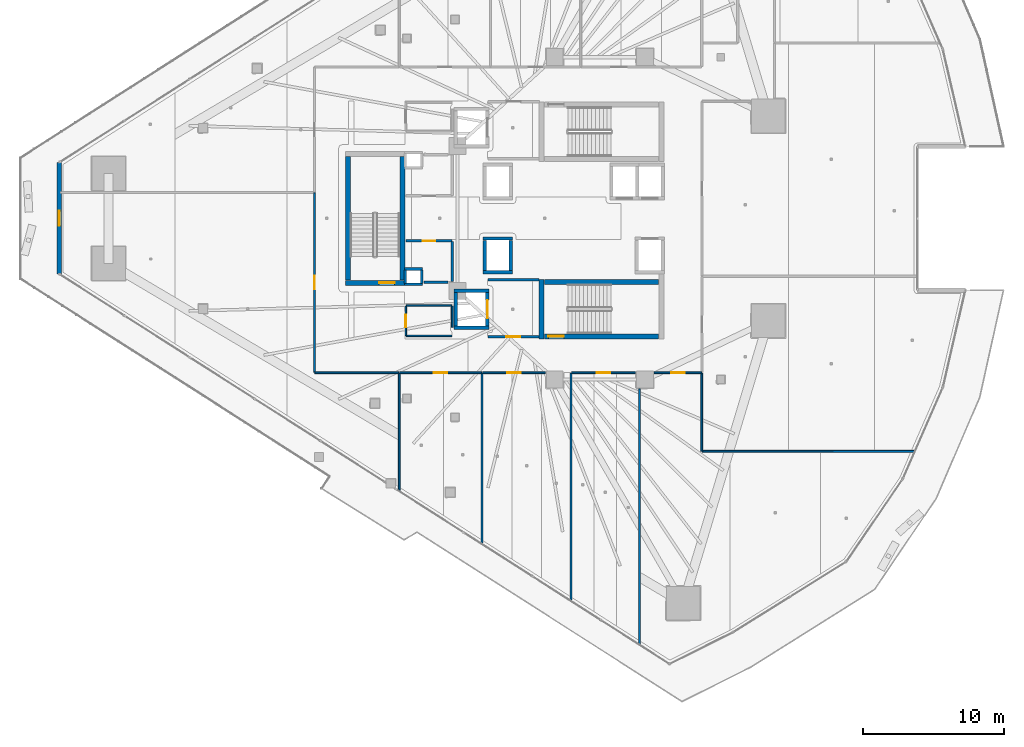
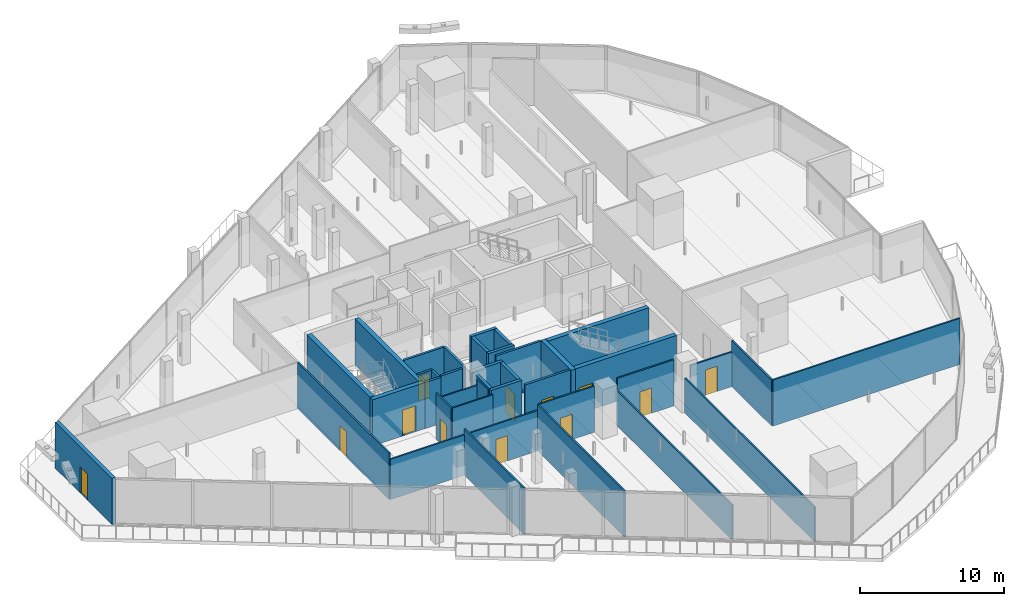
# One storey, part 29 of 45: 40 walls, 12 doors, 12 openings.
"""IFC4 building model written with IfcOpenShell, lengths in metres."""

import ifcopenshell
import ifcopenshell.guid

model = None  # the IFC model being written
_history = None  # IfcOwnerHistory: only IFC2X3 demands one
_inside = {}  # id of a spatial element -> (the spatial element, [elements in it])
_under = {}  # id of a project, library or spatial element -> (it, [spatial elements below it])
_declared = {}  # id of a project -> (the project, [libraries it declares])
_typed = {}  # id of a type object -> (the type object, [elements of that type])
_made_of = {}  # id of a material, layer set ... -> (it, [elements and type objects made of it])


def new_model(schema):
    """Start an empty IFC model of exactly this schema.

    Asked for "IFC4X3", IfcOpenShell would pick the latest addendum, in which some entities
    have other attributes; the version numbers below select the first issue.
    IFC2X3 requires an IfcOwnerHistory on every rooted entity: one is made here for all.
    """
    global model, _history
    if schema == "IFC4X3":
        model = ifcopenshell.file(schema_version=(4, 3, 0, 0))
    else:
        model = ifcopenshell.file(schema=schema)
    _inside.clear()
    _under.clear()
    _declared.clear()
    _typed.clear()
    _made_of.clear()
    _history = None
    if model.schema == "IFC2X3":
        org = make("IfcOrganization", Name="unknown")
        user = make(
            "IfcPersonAndOrganization",
            ThePerson=make("IfcPerson", FamilyName="unknown"),
            TheOrganization=org,
        )
        app = make(
            "IfcApplication",
            ApplicationDeveloper=org,
            Version="unknown",
            ApplicationFullName="unknown",
            ApplicationIdentifier="unknown",
        )
        _history = make(
            "IfcOwnerHistory",
            OwningUser=user,
            OwningApplication=app,
            ChangeAction="ADDED",
            CreationDate=0,
        )
    return model


def make(cls, **values):
    """One entity of the class cls with the attributes given. An attribute that is None is left unset."""
    return model.create_entity(
        cls, **{name: value for name, value in values.items() if value is not None}
    )


def rooted(cls, **values):
    """An entity with a GlobalId (a new one), such as an element, a storey or a relation."""
    return make(cls, GlobalId=ifcopenshell.guid.new(), OwnerHistory=_history, **values)


def si_unit(unit_type, name, prefix=None):
    """IfcSIUnit, for example si_unit("LENGTHUNIT", "METRE", prefix="MILLI")."""
    return make("IfcSIUnit", UnitType=unit_type, Prefix=prefix, Name=name)


def assignment(units):
    """IfcUnitAssignment: the units of a project."""
    return None if units is None else make("IfcUnitAssignment", Units=units)


def point(xyz):
    """IfcCartesianPoint."""
    return None if xyz is None else make("IfcCartesianPoint", Coordinates=xyz)


def direction(xyz):
    """IfcDirection."""
    return None if xyz is None else make("IfcDirection", DirectionRatios=xyz)


def frame(location, z_axis=None, x_axis=None):
    """IfcAxis2Placement3D, a coordinate frame: its origin and axes. An axis left out is left unset."""
    return make(
        "IfcAxis2Placement3D",
        Location=point(location),
        Axis=direction(z_axis),
        RefDirection=direction(x_axis),
    )


def frame_2d(location, x_axis=None):
    """IfcAxis2Placement2D, a coordinate frame in the plane: its origin and x axis."""
    return make(
        "IfcAxis2Placement2D", Location=point(location), RefDirection=direction(x_axis)
    )


def origin():
    """The frame at (0, 0, 0) with its axes left unset."""
    return frame((0.0, 0.0, 0.0))


def place(relative_to, where):
    """IfcLocalPlacement: puts the frame where relative to a parent placement (None: the world)."""
    return make(
        "IfcLocalPlacement", PlacementRelTo=relative_to, RelativePlacement=where
    )


def context(
    kind, dimensions, precision=None, world=None, true_north=None, identifier=None
):
    """IfcGeometricRepresentationContext, for example the 3D "Model" context."""
    return make(
        "IfcGeometricRepresentationContext",
        ContextIdentifier=identifier,
        ContextType=kind,
        CoordinateSpaceDimension=dimensions,
        Precision=precision,
        WorldCoordinateSystem=world,
        TrueNorth=true_north,
    )


def subcontext(parent, identifier, kind, view, scale=None):
    """IfcGeometricRepresentationSubContext, for example "Body" below "Model"."""
    return make(
        "IfcGeometricRepresentationSubContext",
        ContextIdentifier=identifier,
        ContextType=kind,
        ParentContext=parent,
        TargetScale=scale,
        TargetView=view,
    )


def project(units=None, contexts=None):
    """IfcProject with its units and contexts."""
    return rooted(
        "IfcProject",
        Name="project",
        RepresentationContexts=contexts,
        UnitsInContext=assignment(units),
    )


def spatial(cls, under=None, at=None, **own):
    """A site, building, storey or space (cls), placed at a placement, below another one or the project."""
    s = rooted(cls, ObjectPlacement=at, **own)
    if under is not None:
        _under.setdefault(under.id(), (under, []))[1].append(s)
    return s


def profile(cls, at=None, kind="AREA", **sizes):
    """A parametric profile (cls). Its sizes go by their IFC names, for example OverallWidth=200.0."""
    return make(cls, ProfileType=kind, Position=at, **sizes)


def rectangle(**sizes):
    """IfcRectangleProfileDef."""
    return profile("IfcRectangleProfileDef", **sizes)


def extrude(swept, where, along, depth):
    """IfcExtrudedAreaSolid: the profile swept, set in the frame where, extruded along a direction by depth."""
    return make(
        "IfcExtrudedAreaSolid",
        SweptArea=swept,
        Position=where,
        ExtrudedDirection=direction(along),
        Depth=depth,
    )


def shape(context_of_items, identifier, shape_type, items):
    """IfcShapeRepresentation: the items that make up one representation, for example the "Body"."""
    return make(
        "IfcShapeRepresentation",
        ContextOfItems=context_of_items,
        RepresentationIdentifier=identifier,
        RepresentationType=shape_type,
        Items=items,
    )


def material(Name=None, Category=None):
    """IfcMaterial."""
    return make("IfcMaterial", Name=Name, Category=Category)


def layer(
    of_material, thickness, ventilated=None, Name=None, Category=None, Priority=None
):
    """IfcMaterialLayer: one layer of a wall or slab, of a material (None: an air gap)."""
    return make(
        "IfcMaterialLayer",
        Material=of_material,
        LayerThickness=thickness,
        IsVentilated=ventilated,
        Name=Name,
        Category=Category,
        Priority=Priority,
    )


def layer_set(layers, Name=None):
    """IfcMaterialLayerSet."""
    return make("IfcMaterialLayerSet", MaterialLayers=layers, LayerSetName=Name)


def made_of(thing, what):
    """Note that an element or type object is made of a material, layer set ...; save() writes the relation."""
    if what is not None:
        _made_of.setdefault(what.id(), (what, []))[1].append(thing)
    return thing


def type_object(cls, material=None, **own):
    """A type object (cls), such as IfcWallType, which elements share."""
    return made_of(rooted(cls, **own), material)


def element(
    cls,
    number,
    at=None,
    inside=None,
    cuts=None,
    type_object=None,
    material=None,
    context=None,
    identifier="Body",
    shape_type=None,
    held_by="IfcProductDefinitionShape",
    body=None,
    shapes=None,
    **own,
):
    """One element of the class cls, such as IfcWall. Its Tag is "e" and its number.

    at: its placement. inside: the storey or other place that contains it. cuts: it is an
    opening in that element (IfcRelVoidsElement). A single representation is given by context,
    identifier, shape_type and body (its items); several are given by shapes. held_by: the class
    of the entity that holds the representations. save() writes the other relations.
    """
    e = rooted(cls, Tag="e%d" % number, ObjectPlacement=at, **own)
    if body is not None:
        shapes = [shape(context, identifier, shape_type, body)]
    if shapes is not None:
        e.Representation = make(held_by, Representations=shapes)
    if inside is not None:
        _inside.setdefault(inside.id(), (inside, []))[1].append(e)
    if cuts is not None:
        rooted(
            "IfcRelVoidsElement", RelatingBuildingElement=cuts, RelatedOpeningElement=e
        )
    if type_object is not None:
        _typed.setdefault(type_object.id(), (type_object, []))[1].append(e)
    return made_of(e, material)


def fill(opening, filler):
    """IfcRelFillsElement: the door or window that sits in an opening."""
    return rooted(
        "IfcRelFillsElement",
        RelatingOpeningElement=opening,
        RelatedBuildingElement=filler,
    )


def aggregate(whole, parts):
    """IfcRelAggregates: a whole, such as a stair, and the parts it consists of."""
    return rooted("IfcRelAggregates", RelatingObject=whole, RelatedObjects=parts)


def save(model, path):
    """Write the relations noted so far, then the file.

    IfcRelAggregates (storeys below a building ...), IfcRelContainedInSpatialStructure (elements
    in a storey), IfcRelDefinesByType, IfcRelAssociatesMaterial and IfcRelDeclares: one each for
    every whole, place, type object, material and project.
    """
    for whole, parts in _under.values():
        aggregate(whole, parts)
    for where, things in _inside.values():
        rooted(
            "IfcRelContainedInSpatialStructure",
            RelatedElements=things,
            RelatingStructure=where,
        )
    for kind, things in _typed.values():
        rooted("IfcRelDefinesByType", RelatedObjects=things, RelatingType=kind)
    for what, things in _made_of.values():
        rooted("IfcRelAssociatesMaterial", RelatedObjects=things, RelatingMaterial=what)
    for by, libraries in _declared.values():
        rooted("IfcRelDeclares", RelatingContext=by, RelatedDefinitions=libraries)
    model.write(path)


model = new_model("IFC4")

# Units and contexts
model_context = context("Model", 3, precision=1e-05, world=origin(), true_north=direction((0.0, 1.0)))
body_context = subcontext(model_context, "Body", "Model", "MODEL_VIEW")
ifc_project = project(units=[si_unit("LENGTHUNIT", "METRE"), si_unit("AREAUNIT", "SQUARE_METRE"), si_unit("VOLUMEUNIT", "CUBIC_METRE"), si_unit("PLANEANGLEUNIT", "RADIAN"), si_unit("MASSUNIT", "GRAM", prefix="KILO")], contexts=[model_context])

# Site, building, storey
site_placement = place(None, origin())
site = spatial("IfcSite", under=ifc_project, at=site_placement, CompositionType="ELEMENT")
building_placement = place(site_placement, origin())
building = spatial("IfcBuilding", under=site, at=building_placement, Name="Qorvath Tower", CompositionType="ELEMENT")
storey_placement = place(building_placement, frame((0.0, 0.0, 91.199951171875)))
storey = spatial("IfcBuildingStorey", under=building, at=storey_placement, Name="L20", CompositionType="ELEMENT", Elevation=91.199951171875)

# Walls
ifc_material_1 = material(Name="Gypsum shaftliner on steel studs", Category="steel")
ifc_layer_1 = layer(ifc_material_1, 0.179931640625)
ifc_layer_set_1 = layer_set([ifc_layer_1], Name="FW-LOBBY")
wall_type_1 = type_object("IfcWallType", Name="FW-LOBBY", PredefinedType="PARTITIONING", material=ifc_layer_set_1)
for number, where, z_axis, x_axis, name in (
    (1, (-32.989990234375, -4.675048828125, 0.0), (0.0, 0.0, 1.0), (-1.0, 0.0, 0.0), "MEP Riser Shaft Enclosure Wall S-L20-S"),
    (2, (-34.260009765625, -3.594970703125, 0.0), (0.0, 0.0, 1.0), (1.0, 0.0, 0.0), "MEP Riser Shaft Enclosure Wall S-L20-N"),
):
    element("IfcWall", number, at=place(storey_placement, frame(where, z_axis=z_axis, x_axis=x_axis)), inside=storey, type_object=wall_type_1, Name=name, PredefinedType="PARTITIONING", context=body_context, shape_type="SweptSolid", body=[
        extrude(rectangle(XDim=1.27001953125, YDim=0.179931640625, at=frame_2d((0.635009765625, 0.0))), origin(), (0.0, 0.0, 1.0), 3.920166015625),
    ])
for number, where, z_axis, x_axis, name in (
    (3, (-34.205078125, -4.610107421875, 0.0), (0.0, 0.0, 1.0), (0.0, 1.0, 0.0), "MEP Riser Shaft Enclosure Wall S-L20-W"),
    (4, (-33.044921875, -3.659912109375, 0.0), (0.0, 0.0, 1.0), (0.0, -1.0, 0.0), "MEP Riser Shaft Enclosure Wall S-L20-E"),
):
    element("IfcWall", number, at=place(storey_placement, frame(where, z_axis=z_axis, x_axis=x_axis)), inside=storey, type_object=wall_type_1, Name=name, PredefinedType="PARTITIONING", context=body_context, shape_type="SweptSolid", body=[
        extrude(rectangle(XDim=0.9501953125, YDim=0.179931640625, at=frame_2d((0.47509765625, 0.0))), origin(), (0.0, 0.0, 1.0), 3.920166015625),
    ])

# Wall, opening, door
wall_1_placement = place(storey_placement, frame((-28.35498046875, -8.39990234375, 0.0), z_axis=(0.0, 0.0, 1.0), x_axis=(1.0, 0.0, 0.0)))
wall_1 = element("IfcWall", 5, at=wall_1_placement, inside=storey, type_object=wall_type_1, Name="Interior Partition IW-T1-L20-003", PredefinedType="PARTITIONING", context=body_context, shape_type="SweptSolid", body=[
    extrude(rectangle(XDim=3.6220703125, YDim=0.179931640625, at=frame_2d((1.81103515625, 0.0))), origin(), (0.0, 0.0, 1.0), 3.920166015625),
])
opening_1_placement = place(wall_1_placement, frame((1.31103515625, 0.0, 0.0)))
opening_1 = element("IfcOpeningElement", 6, at=opening_1_placement, cuts=wall_1, Name="Opening D-T1-L20-18", PredefinedType="OPENING", context=body_context, shape_type="SweptSolid", body=[
    extrude(rectangle(XDim=1.0, YDim=2.14990234375, at=frame_2d((0.5, 1.074951171875))), frame((0.0, 0.10009765625, 0.0), z_axis=(0.0, -1.0, 0.0), x_axis=(1.0, 0.0, 0.0)), (0.0, 0.0, 1.0), 0.199951171875),
])
ifc_material_2 = material(Name="Painted galvanised hollow metal", Category="steel")
door_type_1 = type_object("IfcDoorType", Name="FD-60", OperationType="NOTDEFINED", PredefinedType="DOOR", material=ifc_material_2)
door_1_placement = place(opening_1_placement, origin())
door_1 = element("IfcDoor", 7, at=door_1_placement, inside=storey, type_object=door_type_1, Name="Lobby Fire Service Elevator South Door D-T1-L20-18", OperationType="SINGLE_SWING_LEFT", OverallHeight=2.14990234375, OverallWidth=1.0, PredefinedType="DOOR", context=body_context, shape_type="SweptSolid", body=[
    extrude(rectangle(XDim=1.0, YDim=2.14990234375, at=frame_2d((0.5, 1.074951171875))), frame((0.0, 0.02490234375, 0.0), z_axis=(0.0, -1.0, 0.0), x_axis=(1.0, 0.0, 0.0)), (0.0, 0.0, 1.0), 0.050048828125),
])
fill(opening_1, door_1)

# Walls
wall_2_placement = place(storey_placement, frame((-24.73291015625, -4.35009765625, 0.0), z_axis=(0.0, 0.0, 1.0), x_axis=(-1.0, 0.0, 0.0)))
element("IfcWall", 8, at=wall_2_placement, inside=storey, type_object=wall_type_1, Name="Interior Partition IW-T1-L20-004", PredefinedType="PARTITIONING", context=body_context, shape_type="SweptSolid", body=[
    extrude(rectangle(XDim=3.6220703125, YDim=0.179931640625, at=frame_2d((1.81103515625, 0.0))), origin(), (0.0, 0.0, 1.0), 3.920166015625),
])
wall_3_placement = place(storey_placement, frame((-32.8798828125, -4.5380859375, 0.0), z_axis=(0.0, 0.0, 1.0), x_axis=(0.9999584918, 0.009111239105, 0.0)))
element("IfcWall", 9, at=wall_3_placement, inside=storey, type_object=wall_type_1, Name="Interior Partition IW-T1-L20-016", PredefinedType="PARTITIONING", context=body_context, shape_type="SweptSolid", body=[
    extrude(rectangle(XDim=1.71484375, YDim=0.179931640625, at=frame_2d((0.857421875, 0.0))), origin(), (0.0, 0.0, 1.0), 3.920166015625),
])
wall_4_placement = place(storey_placement, frame((-30.8798828125, -4.485107421875, 0.0), z_axis=(0.0, 0.0, 1.0), x_axis=(0.0, 1.0, 0.0)))
element("IfcWall", 10, at=wall_4_placement, inside=storey, type_object=wall_type_1, Name="Interior Partition IW-T1-L20-017", PredefinedType="PARTITIONING", context=body_context, shape_type="SweptSolid", body=[
    extrude(rectangle(XDim=2.860107421875, YDim=0.179931640625, at=frame_2d((1.43017578125, 0.0))), origin(), (0.0, 0.0, 1.0), 3.920166015625),
])

# Wall, opening, door
wall_5_placement = place(storey_placement, frame((-30.90478515625, -1.60009765625, 0.0), z_axis=(0.0, 0.0, 1.0), x_axis=(-1.0, 0.0, 0.0)))
wall_5 = element("IfcWall", 11, at=wall_5_placement, inside=storey, type_object=wall_type_1, Name="Interior Partition IW-T1-L20-018", PredefinedType="PARTITIONING", context=body_context, shape_type="SweptSolid", body=[
    extrude(rectangle(XDim=3.25, YDim=0.179931640625, at=frame_2d((1.625, 0.0))), origin(), (0.0, 0.0, 1.0), 3.920166015625),
])
opening_2_placement = place(wall_5_placement, frame((1.18505859375, 0.0, 0.0)))
opening_2 = element("IfcOpeningElement", 12, at=opening_2_placement, cuts=wall_5, Name="Opening D-T1-L20-04", PredefinedType="OPENING", context=body_context, shape_type="SweptSolid", body=[
    extrude(rectangle(XDim=0.8798828125, YDim=2.10009765625, at=frame_2d((0.43994140625, 1.050048828125))), frame((0.0, 0.10009765625, 0.0), z_axis=(0.0, -1.0, 0.0), x_axis=(1.0, 0.0, 0.0)), (0.0, 0.0, 1.0), 0.199951171875),
])
ifc_material_3 = material(Name="Painted galvanised hollow metal", Category="steel")
door_type_2 = type_object("IfcDoorType", Name="FD-60N", OperationType="NOTDEFINED", PredefinedType="DOOR", material=ifc_material_3)
door_2_placement = place(opening_2_placement, origin())
door_2 = element("IfcDoor", 13, at=door_2_placement, inside=storey, type_object=door_type_2, Name="Core housekeeping store L20 Door D-T1-L20-04", OperationType="SINGLE_SWING_LEFT", OverallHeight=2.10009765625, OverallWidth=0.8798828125, PredefinedType="DOOR", context=body_context, shape_type="SweptSolid", body=[
    extrude(rectangle(XDim=0.8798828125, YDim=2.10009765625, at=frame_2d((0.43994140625, 1.050048828125))), frame((0.0, 0.02490234375, 0.0), z_axis=(0.0, -1.0, 0.0), x_axis=(1.0, 0.0, 0.0)), (0.0, 0.0, 1.0), 0.050048828125),
])
fill(opening_2, door_2)

ifc_material_4 = material(Name="Gypsum board on metal studs with mineral wool", Category="gypsum")
ifc_layer_2 = layer(ifc_material_4, 0.125)
ifc_layer_set_2 = layer_set([ifc_layer_2], Name="IW-PART-125")
wall_type_2 = type_object("IfcWallType", Name="IW-PART-125", PredefinedType="PARTITIONING", material=ifc_layer_set_2)
wall_6_placement = place(storey_placement, frame((-28.784423828125, -10.9580078125, 0.0), z_axis=(0.0, 0.0, 1.0), x_axis=(-1.0, 0.0, 0.0)))
wall_6 = element("IfcWall", 14, at=wall_6_placement, inside=storey, type_object=wall_type_2, Name="Interior Partition IW-T1-L20-027", PredefinedType="PARTITIONING", context=body_context, shape_type="SweptSolid", body=[
    extrude(rectangle(XDim=5.840576171875, YDim=0.125, at=frame_2d((2.92041015625, 0.0))), origin(), (0.0, 0.0, 1.0), 3.43310546875),
])
opening_3_placement = place(wall_6_placement, frame((2.4453125, 0.0, 0.0)))
opening_3 = element("IfcOpeningElement", 15, at=opening_3_placement, cuts=wall_6, Name="Opening D-T1-L20-08", PredefinedType="OPENING", context=body_context, shape_type="SweptSolid", body=[
    extrude(rectangle(XDim=0.949951171875, YDim=2.14990234375, at=frame_2d((0.47509765625, 1.074951171875))), frame((0.0, 0.072509765625, 0.0), z_axis=(0.0, -1.0, 0.0), x_axis=(1.0, 0.0, 0.0)), (0.0, 0.0, 1.0), 0.14501953125),
])
ifc_material_5 = material(Name="Solid-core American white oak veneer", Category="wood")
door_type_3 = type_object("IfcDoorType", Name="D-01", OperationType="NOTDEFINED", PredefinedType="DOOR", material=ifc_material_5)
door_3_placement = place(opening_3_placement, origin())
door_3 = element("IfcDoor", 16, at=door_3_placement, inside=storey, type_object=door_type_3, Name="L20-04 Project Collaboration Workspace Door D-T1-L20-08", OperationType="SINGLE_SWING_LEFT", OverallHeight=2.14990234375, OverallWidth=0.949951171875, PredefinedType="DOOR", context=body_context, shape_type="SweptSolid", body=[
    extrude(rectangle(XDim=0.949951171875, YDim=2.14990234375, at=frame_2d((0.47509765625, 1.074951171875))), frame((0.0, 0.02490234375, 0.0), z_axis=(0.0, -1.0, 0.0), x_axis=(1.0, 0.0, 0.0)), (0.0, 0.0, 1.0), 0.050048828125),
])
fill(opening_3, door_3)

# Walls
wall_7_placement = place(storey_placement, frame((-34.64990234375, -10.98291015625, 0.0), z_axis=(0.0, 0.0, 1.0), x_axis=(0.0, -1.0, 0.0)))
element("IfcWall", 17, at=wall_7_placement, inside=storey, type_object=wall_type_2, Name="Interior Partition IW-T1-L20-028", PredefinedType="PARTITIONING", context=body_context, shape_type="SweptSolid", body=[
    extrude(rectangle(XDim=8.325439453125, YDim=0.125, at=frame_2d((4.16259765625, 0.0))), origin(), (0.0, 0.0, 1.0), 3.920166015625),
])
wall_8_placement = place(storey_placement, frame((-28.759521484375, -23.0732421875, 0.0), z_axis=(0.0, 0.0, 1.0), x_axis=(0.0, 1.0, 0.0)))
element("IfcWall", 18, at=wall_8_placement, inside=storey, type_object=wall_type_2, Name="Interior Partition IW-T1-L20-029", PredefinedType="PARTITIONING", context=body_context, shape_type="SweptSolid", body=[
    extrude(rectangle(XDim=12.09033203125, YDim=0.125, at=frame_2d((6.045166015625, 0.0))), origin(), (0.0, 0.0, 1.0), 3.920166015625),
])

# Wall, opening, door
wall_9_placement = place(storey_placement, frame((-24.264892578125, -10.9580078125, 0.0), z_axis=(0.0, 0.0, 1.0), x_axis=(-1.0, 0.0, 0.0)))
wall_9 = element("IfcWall", 19, at=wall_9_placement, inside=storey, type_object=wall_type_2, Name="Interior Partition IW-T1-L20-030", PredefinedType="PARTITIONING", context=body_context, shape_type="SweptSolid", body=[
    extrude(rectangle(XDim=4.4619140625, YDim=0.125, at=frame_2d((2.23095703125, 0.0))), origin(), (0.0, 0.0, 1.0), 3.920166015625),
])
opening_4_placement = place(wall_9_placement, frame((1.755859375, 0.0, 0.0)))
opening_4 = element("IfcOpeningElement", 20, at=opening_4_placement, cuts=wall_9, Name="Opening D-T1-L20-09", PredefinedType="OPENING", context=body_context, shape_type="SweptSolid", body=[
    extrude(rectangle(XDim=0.949951171875, YDim=2.14990234375, at=frame_2d((0.47509765625, 1.074951171875))), frame((0.0, 0.072509765625, 0.0), z_axis=(0.0, -1.0, 0.0), x_axis=(1.0, 0.0, 0.0)), (0.0, 0.0, 1.0), 0.14501953125),
])
door_4_placement = place(opening_4_placement, origin())
door_4 = element("IfcDoor", 21, at=door_4_placement, inside=storey, type_object=door_type_3, Name="L20-05 Staff Wellness Studio Door D-T1-L20-09", OperationType="SINGLE_SWING_RIGHT", OverallHeight=2.14990234375, OverallWidth=0.949951171875, PredefinedType="DOOR", context=body_context, shape_type="SweptSolid", body=[
    extrude(rectangle(XDim=0.949951171875, YDim=2.14990234375, at=frame_2d((0.47509765625, 1.074951171875))), frame((0.0, 0.02490234375, 0.0), z_axis=(0.0, -1.0, 0.0), x_axis=(1.0, 0.0, 0.0)), (0.0, 0.0, 1.0), 0.050048828125),
])
fill(opening_4, door_4)

# Wall
wall_10_placement = place(storey_placement, frame((-22.441162109375, -27.111328125, 0.0), z_axis=(0.0, 0.0, 1.0), x_axis=(0.0, 1.0, 0.0)))
element("IfcWall", 22, at=wall_10_placement, inside=storey, type_object=wall_type_2, Name="Interior Partition IW-T1-L20-031", PredefinedType="PARTITIONING", context=body_context, shape_type="SweptSolid", body=[
    extrude(rectangle(XDim=16.12841796875, YDim=0.125, at=frame_2d((8.064208984375, 0.0))), origin(), (0.0, 0.0, 1.0), 2.95703125),
])

# Wall, opening, door
wall_11_placement = place(storey_placement, frame((-17.864990234375, -10.9580078125, 0.0), z_axis=(0.0, 0.0, 1.0), x_axis=(-1.0, 0.0, 0.0)))
wall_11 = element("IfcWall", 23, at=wall_11_placement, inside=storey, type_object=wall_type_2, Name="Interior Partition IW-T1-L20-032", PredefinedType="PARTITIONING", context=body_context, shape_type="SweptSolid", body=[
    extrude(rectangle(XDim=4.543212890625, YDim=0.125, at=frame_2d((2.271484375, 0.0))), origin(), (0.0, 0.0, 1.0), 3.920166015625),
])
opening_5_placement = place(wall_11_placement, frame((1.796630859375, 0.0, 0.0)))
opening_5 = element("IfcOpeningElement", 24, at=opening_5_placement, cuts=wall_11, Name="Opening D-T1-L20-10", PredefinedType="OPENING", context=body_context, shape_type="SweptSolid", body=[
    extrude(rectangle(XDim=0.949951171875, YDim=2.14990234375, at=frame_2d((0.47509765625, 1.074951171875))), frame((0.0, 0.072509765625, 0.0), z_axis=(0.0, -1.0, 0.0), x_axis=(1.0, 0.0, 0.0)), (0.0, 0.0, 1.0), 0.14501953125),
])
door_5_placement = place(opening_5_placement, origin())
door_5 = element("IfcDoor", 25, at=door_5_placement, inside=storey, type_object=door_type_3, Name="L20-06 Design Pin-Up Atelier Door D-T1-L20-10", OperationType="SINGLE_SWING_LEFT", OverallHeight=2.14990234375, OverallWidth=0.949951171875, PredefinedType="DOOR", context=body_context, shape_type="SweptSolid", body=[
    extrude(rectangle(XDim=0.949951171875, YDim=2.14990234375, at=frame_2d((0.47509765625, 1.074951171875))), frame((0.0, 0.02490234375, 0.0), z_axis=(0.0, -1.0, 0.0), x_axis=(1.0, 0.0, 0.0)), (0.0, 0.0, 1.0), 0.050048828125),
])
fill(opening_5, door_5)

# Walls
wall_12_placement = place(storey_placement, frame((-17.58154296875, -30.21728515625, 0.0), z_axis=(0.0, 0.0, 1.0), x_axis=(0.0, 1.0, 0.0)))
element("IfcWall", 26, at=wall_12_placement, inside=storey, type_object=wall_type_2, Name="Interior Partition IW-T1-L20-033", PredefinedType="PARTITIONING", context=body_context, shape_type="SweptSolid", body=[
    extrude(rectangle(XDim=18.102294921875, YDim=0.125, at=frame_2d((9.05126953125, 0.0))), origin(), (0.0, 0.0, 1.0), 2.95703125),
])
wall_13_placement = place(storey_placement, frame((1.906005859375, -16.548583984375, 0.0), z_axis=(0.0, 0.0, 1.0), x_axis=(-0.999999993536, 0.000113697272, 0.0)))
element("IfcWall", 27, at=wall_13_placement, inside=storey, type_object=wall_type_2, Name="Interior Partition IW-T1-L20-034", PredefinedType="PARTITIONING", context=body_context, shape_type="SweptSolid", body=[
    extrude(rectangle(XDim=15.031005859375, YDim=0.125, at=frame_2d((7.515625, 0.0))), origin(), (0.0, 0.0, 1.0), 3.920166015625),
])
wall_14_placement = place(storey_placement, frame((-13.14990234375, -10.98291015625, 0.0), z_axis=(0.0, 0.0, 1.0), x_axis=(0.0, -1.0, 0.0)))
element("IfcWall", 28, at=wall_14_placement, inside=storey, type_object=wall_type_2, Name="Interior Partition IW-T1-L20-035", PredefinedType="PARTITIONING", context=body_context, shape_type="SweptSolid", body=[
    extrude(rectangle(XDim=5.5390625, YDim=0.125, at=frame_2d((2.76953125, 0.0))), origin(), (0.0, 0.0, 1.0), 3.920166015625),
])

# Wall, opening, door
wall_15_placement = place(storey_placement, frame((-13.1748046875, -10.9580078125, 0.0), z_axis=(0.0, 0.0, 1.0), x_axis=(-1.0, 0.0, 0.0)))
wall_15 = element("IfcWall", 29, at=wall_15_placement, inside=storey, type_object=wall_type_2, Name="Interior Partition IW-T1-L20-036", PredefinedType="PARTITIONING", context=body_context, shape_type="SweptSolid", body=[
    extrude(rectangle(XDim=3.360107421875, YDim=0.125, at=frame_2d((1.68017578125, 0.0))), origin(), (0.0, 0.0, 1.0), 2.95703125),
])
opening_6_placement = place(wall_15_placement, frame((1.205078125, 0.0, 0.0)))
opening_6 = element("IfcOpeningElement", 30, at=opening_6_placement, cuts=wall_15, Name="Opening D-T1-L20-11", PredefinedType="OPENING", context=body_context, shape_type="SweptSolid", body=[
    extrude(rectangle(XDim=0.949951171875, YDim=2.14990234375, at=frame_2d((0.47509765625, 1.074951171875))), frame((0.0, 0.072509765625, 0.0), z_axis=(0.0, -1.0, 0.0), x_axis=(1.0, 0.0, 0.0)), (0.0, 0.0, 1.0), 0.14501953125),
])
door_6_placement = place(opening_6_placement, origin())
door_6 = element("IfcDoor", 31, at=door_6_placement, inside=storey, type_object=door_type_3, Name="L20-07 Executive Partner Office Door D-T1-L20-11", OperationType="SINGLE_SWING_RIGHT", OverallHeight=2.14990234375, OverallWidth=0.949951171875, PredefinedType="DOOR", context=body_context, shape_type="SweptSolid", body=[
    extrude(rectangle(XDim=0.949951171875, YDim=2.14990234375, at=frame_2d((0.47509765625, 1.074951171875))), frame((0.0, 0.02490234375, 0.0), z_axis=(0.0, -1.0, 0.0), x_axis=(1.0, 0.0, 0.0)), (0.0, 0.0, 1.0), 0.050048828125),
])
fill(opening_6, door_6)

# Wall
wall_16_placement = place(storey_placement, frame((-40.633056640625, -10.9580078125, 0.0), z_axis=(0.0, 0.0, 1.0), x_axis=(1.0, 0.0, 0.0)))
element("IfcWall", 32, at=wall_16_placement, inside=storey, type_object=wall_type_2, Name="Interior Partition IW-T1-L20-047", PredefinedType="PARTITIONING", context=body_context, shape_type="SweptSolid", body=[
    extrude(rectangle(XDim=5.949951171875, YDim=0.125, at=frame_2d((2.97509765625, 0.0))), origin(), (0.0, 0.0, 1.0), 3.43310546875),
])

# Wall, opening, door
wall_17_placement = place(storey_placement, frame((-40.657958984375, -10.93310546875, 0.0), z_axis=(0.0, 0.0, 1.0), x_axis=(0.0, 1.0, 0.0)))
wall_17 = element("IfcWall", 33, at=wall_17_placement, inside=storey, type_object=wall_type_2, Name="Interior Partition IW-T1-L20-048", PredefinedType="PARTITIONING", context=body_context, shape_type="SweptSolid", body=[
    extrude(rectangle(XDim=12.73876953125, YDim=0.125, at=frame_2d((6.369384765625, 0.0))), origin(), (0.0, 0.0, 1.0), 3.920166015625),
])
opening_7_placement = place(wall_17_placement, frame((5.894287109375, 0.0, 0.0)))
opening_7 = element("IfcOpeningElement", 34, at=opening_7_placement, cuts=wall_17, Name="Opening D-T1-L20-15", PredefinedType="OPENING", context=body_context, shape_type="SweptSolid", body=[
    extrude(rectangle(XDim=0.949951171875, YDim=2.14990234375, at=frame_2d((0.47509765625, 1.074951171875))), frame((0.0, 0.072509765625, 0.0), z_axis=(0.0, -1.0, 0.0), x_axis=(1.0, 0.0, 0.0)), (0.0, 0.0, 1.0), 0.14501953125),
])
door_7_placement = place(opening_7_placement, origin())
door_7 = element("IfcDoor", 35, at=door_7_placement, inside=storey, type_object=door_type_3, Name="L20-11 Engineering Documentation Suite Door D-T1-L20-15", OperationType="SINGLE_SWING_RIGHT", OverallHeight=2.14990234375, OverallWidth=0.949951171875, PredefinedType="DOOR", context=body_context, shape_type="SweptSolid", body=[
    extrude(rectangle(XDim=0.949951171875, YDim=2.14990234375, at=frame_2d((0.47509765625, 1.074951171875))), frame((0.0, 0.02490234375, 0.0), z_axis=(0.0, -1.0, 0.0), x_axis=(1.0, 0.0, 0.0)), (0.0, 0.0, 1.0), 0.050048828125),
])
fill(opening_7, door_7)

ifc_material_6 = material(Name="Moisture-resistant cement board on metal studs", Category="gypsum")
ifc_layer_3 = layer(ifc_material_6, 0.110107421875)
ifc_layer_set_3 = layer_set([ifc_layer_3], Name="IW-WC-110")
wall_type_3 = type_object("IfcWallType", Name="IW-WC-110", PredefinedType="PARTITIONING", material=ifc_layer_set_3)
wall_18_placement = place(storey_placement, frame((-34.179931640625, -6.22509765625, 0.0), z_axis=(0.0, 0.0, 1.0), x_axis=(0.0, -1.0, 0.0)))
wall_18 = element("IfcWall", 36, at=wall_18_placement, inside=storey, type_object=wall_type_3, Name="Interior Partition IW-T1-L20-009", PredefinedType="PARTITIONING", context=body_context, shape_type="SweptSolid", body=[
    extrude(rectangle(XDim=2.10009765625, YDim=0.110107421875, at=frame_2d((1.050048828125, 0.0))), origin(), (0.0, 0.0, 1.0), 3.920166015625),
])
opening_8_placement = place(wall_18_placement, frame((0.610107421875, 0.0, 0.0)))
opening_8 = element("IfcOpeningElement", 37, at=opening_8_placement, cuts=wall_18, Name="Opening D-T1-L20-02", PredefinedType="OPENING", context=body_context, shape_type="SweptSolid", body=[
    extrude(rectangle(XDim=0.8798828125, YDim=2.10009765625, at=frame_2d((0.43994140625, 1.050048828125))), frame((0.0, 0.06494140625, 0.0), z_axis=(0.0, -1.0, 0.0), x_axis=(1.0, 0.0, 0.0)), (0.0, 0.0, 1.0), 0.130126953125),
])
ifc_material_7 = material(Name="Solid-core oak with acoustic drop seal", Category="wood")
door_type_4 = type_object("IfcDoorType", Name="D-02", OperationType="NOTDEFINED", PredefinedType="DOOR", material=ifc_material_7)
door_8_placement = place(opening_8_placement, origin())
door_8 = element("IfcDoor", 38, at=door_8_placement, inside=storey, type_object=door_type_4, Name="Accessible WC South L20 Door D-T1-L20-02", OperationType="SINGLE_SWING_LEFT", OverallHeight=2.10009765625, OverallWidth=0.8798828125, PredefinedType="DOOR", context=body_context, shape_type="SweptSolid", body=[
    extrude(rectangle(XDim=0.8798828125, YDim=2.10009765625, at=frame_2d((0.43994140625, 1.050048828125))), frame((0.0, 0.02490234375, 0.0), z_axis=(0.0, -1.0, 0.0), x_axis=(1.0, 0.0, 0.0)), (0.0, 0.0, 1.0), 0.050048828125),
])
fill(opening_8, door_8)

# Walls
wall_19_placement = place(storey_placement, frame((-34.15478515625, -8.35009765625, 0.0), z_axis=(0.0, 0.0, 1.0), x_axis=(1.0, 0.0, 0.0)))
element("IfcWall", 39, at=wall_19_placement, inside=storey, type_object=wall_type_3, Name="Interior Partition IW-T1-L20-010", PredefinedType="PARTITIONING", context=body_context, shape_type="SweptSolid", body=[
    extrude(rectangle(XDim=3.25, YDim=0.110107421875, at=frame_2d((1.625, 0.0))), origin(), (0.0, 0.0, 1.0), 3.920166015625),
])
wall_20_placement = place(storey_placement, frame((-30.8798828125, -7.742919921875, 0.0), z_axis=(0.0, 0.0, 1.0), x_axis=(0.0, 1.0, 0.0)))
element("IfcWall", 40, at=wall_20_placement, inside=storey, type_object=wall_type_3, Name="Interior Partition IW-T1-L20-011", PredefinedType="PARTITIONING", context=body_context, shape_type="SweptSolid", body=[
    extrude(rectangle(XDim=1.517822265625, YDim=0.110107421875, at=frame_2d((0.7587890625, 0.0))), origin(), (0.0, 0.0, 1.0), 3.920166015625),
])
wall_21_placement = place(storey_placement, frame((-30.90478515625, -6.199951171875, 0.0), z_axis=(0.0, 0.0, 1.0), x_axis=(-1.0, 0.0, 0.0)))
element("IfcWall", 41, at=wall_21_placement, inside=storey, type_object=wall_type_3, Name="Interior Partition IW-T1-L20-012", PredefinedType="PARTITIONING", context=body_context, shape_type="SweptSolid", body=[
    extrude(rectangle(XDim=3.25, YDim=0.110107421875, at=frame_2d((1.625, 0.0))), origin(), (0.0, 0.0, 1.0), 3.43310546875),
])
ifc_material_8 = material(Name="Concrete C60/75", Category="concrete")
ifc_layer_4 = layer(ifc_material_8, 0.260009765625)
ifc_layer_set_4 = layer_set([ifc_layer_4], Name="SW-SHAFT")
wall_type_4 = type_object("IfcWallType", Name="SW-SHAFT", PredefinedType="SHEAR", material=ifc_layer_set_4)
for number, where, z_axis, x_axis, name in (
    (42, (-28.260009765625, -7.77001953125, 0.0), (0.0, 0.0, 1.0), (-1.0, 0.0, 0.0), "Hoistway Wall FSAE-2 L20 S"),
    (43, (-30.739990234375, -5.1298828125, 0.0), (0.0, 0.0, 1.0), (1.0, 0.0, 0.0), "Hoistway Wall FSAE-2 L20 N"),
):
    element("IfcWall", number, at=place(storey_placement, frame(where, z_axis=z_axis, x_axis=x_axis)), inside=storey, type_object=wall_type_4, Name=name, PredefinedType="SHEAR", context=body_context, shape_type="SweptSolid", body=[
        extrude(rectangle(XDim=2.47998046875, YDim=0.239990234375, at=frame_2d((1.239990234375, 0.0))), origin(), (0.0, 0.0, 1.0), 3.920166015625),
    ])
wall_22_placement = place(storey_placement, frame((-30.6201171875, -7.637939453125, 0.0), z_axis=(0.0, 0.0, 1.0), x_axis=(0.0, 1.0, 0.0)))
element("IfcWall", 44, at=wall_22_placement, inside=storey, type_object=wall_type_4, Name="Hoistway Wall FSAE-2 L20 W", PredefinedType="SHEAR", context=body_context, shape_type="SweptSolid", body=[
    extrude(rectangle(XDim=2.3759765625, YDim=0.239990234375, at=frame_2d((1.18798828125, 0.0))), origin(), (0.0, 0.0, 1.0), 3.920166015625),
])

# Wall, opening, door
wall_23_placement = place(storey_placement, frame((-28.3798828125, -5.261962890625, 0.0), z_axis=(0.0, 0.0, 1.0), x_axis=(0.0, -1.0, 0.0)))
wall_23 = element("IfcWall", 45, at=wall_23_placement, inside=storey, type_object=wall_type_4, Name="Hoistway Wall FSAE-2 L20 E", PredefinedType="SHEAR", context=body_context, shape_type="SweptSolid", body=[
    extrude(rectangle(XDim=2.3759765625, YDim=0.239990234375, at=frame_2d((1.18798828125, 0.0))), origin(), (0.0, 0.0, 1.0), 3.920166015625),
])
opening_9_placement = place(wall_23_placement, frame((0.5380859375, 0.0, 0.0)))
opening_9 = element("IfcOpeningElement", 46, at=opening_9_placement, cuts=wall_23, Name="Opening LD-FSAE-2-L20", PredefinedType="OPENING", context=body_context, shape_type="SweptSolid", body=[
    extrude(rectangle(XDim=1.300048828125, YDim=2.300048828125, at=frame_2d((0.64990234375, 1.14990234375))), frame((0.0, 0.1298828125, 0.0), z_axis=(0.0, -1.0, 0.0), x_axis=(1.0, 0.0, 0.0)), (0.0, 0.0, 1.0), 0.260009765625),
])
ifc_material_9 = material(Name="Brushed stainless steel AISI 316", Category="steel")
door_type_5 = type_object("IfcDoorType", Name="LD-02", OperationType="NOTDEFINED", PredefinedType="DOOR", material=ifc_material_9)
door_9_placement = place(opening_9_placement, origin())
door_9 = element("IfcDoor", 47, at=door_9_placement, inside=storey, type_object=door_type_5, Name="Elevator Landing Sliding Door LD-FSAE-2-L20", OperationType="DOUBLE_DOOR_SLIDING", OverallHeight=2.300048828125, OverallWidth=1.300048828125, PredefinedType="DOOR", context=body_context, shape_type="SweptSolid", body=[
    extrude(rectangle(XDim=1.300048828125, YDim=2.300048828125, at=frame_2d((0.64990234375, 1.14990234375))), frame((0.0, 0.02490234375, 0.0), z_axis=(0.0, -1.0, 0.0), x_axis=(1.0, 0.0, 0.0)), (0.0, 0.0, 1.0), 0.050048828125),
])
fill(opening_9, door_9)

# Walls
for number, where, z_axis, x_axis, name in (
    (48, (-26.610107421875, -3.820068359375, 0.0), (0.0, 0.0, 1.0), (-1.0, 0.0, 0.0), "Hoistway Wall PS-2 L20 S"),
    (49, (-28.68994140625, -1.429931640625, 0.0), (0.0, 0.0, 1.0), (1.0, 0.0, 0.0), "Hoistway Wall PS-2 L20 N"),
):
    element("IfcWall", number, at=place(storey_placement, frame(where, z_axis=z_axis, x_axis=x_axis)), inside=storey, type_object=wall_type_4, Name=name, PredefinedType="SHEAR", context=body_context, shape_type="SweptSolid", body=[
        extrude(rectangle(XDim=2.079833984375, YDim=0.239990234375, at=frame_2d((1.0400390625, 0.0))), origin(), (0.0, 0.0, 1.0), 3.920166015625),
    ])
for number, where, z_axis, x_axis, name in (
    (50, (-28.570068359375, -3.68798828125, 0.0), (0.0, 0.0, 1.0), (0.0, 1.0, 0.0), "Hoistway Wall PS-2 L20 W"),
    (51, (-26.72998046875, -1.56201171875, 0.0), (0.0, 0.0, 1.0), (0.0, -1.0, 0.0), "Hoistway Wall PS-2 L20 E"),
):
    element("IfcWall", number, at=place(storey_placement, frame(where, z_axis=z_axis, x_axis=x_axis)), inside=storey, type_object=wall_type_4, Name=name, PredefinedType="SHEAR", context=body_context, shape_type="SweptSolid", body=[
        extrude(rectangle(XDim=2.1259765625, YDim=0.239990234375, at=frame_2d((1.06298828125, 0.0))), origin(), (0.0, 0.0, 1.0), 3.920166015625),
    ])
ifc_material_10 = material(Name="Concrete C60/75", Category="concrete")
ifc_layer_5 = layer(ifc_material_10, 0.35009765625)
ifc_layer_set_5 = layer_set([ifc_layer_5], Name="SW-STAIR")
wall_type_5 = type_object("IfcWallType", Name="SW-STAIR", PredefinedType="SHEAR", material=ifc_layer_set_5)
wall_24_placement = place(storey_placement, frame((-24.52490234375, -4.340087890625, 0.0), z_axis=(0.0, 0.0, 1.0), x_axis=(0.0, -1.0, 0.0)))
element("IfcWall", 52, at=wall_24_placement, inside=storey, type_object=wall_type_5, Name="Stair TS2 Shear Wall L20 NEAR", PredefinedType="SHEAR", context=body_context, shape_type="SweptSolid", body=[
    extrude(rectangle(XDim=4.2099609375, YDim=0.35009765625, at=frame_2d((2.10498046875, 0.0))), origin(), (0.0, 0.0, 1.0), 3.920166015625),
])

# Wall, opening, door
wall_25_placement = place(storey_placement, frame((-24.3349609375, -8.375, 0.0), z_axis=(0.0, 0.0, 1.0), x_axis=(1.0, 0.0, 0.0)))
wall_25 = element("IfcWall", 53, at=wall_25_placement, inside=storey, type_object=wall_type_5, Name="Stair TS2 Shear Wall L20 LEFT", PredefinedType="SHEAR", context=body_context, shape_type="SweptSolid", body=[
    extrude(rectangle(XDim=8.119873046875, YDim=0.35009765625, at=frame_2d((4.06005859375, 0.0))), origin(), (0.0, 0.0, 1.0), 3.920166015625),
])
opening_10_placement = place(wall_25_placement, frame((0.280029296875, 0.0, 0.0)))
opening_10 = element("IfcOpeningElement", 54, at=opening_10_placement, cuts=wall_25, Name="Opening D-TS2-L20", PredefinedType="OPENING", context=body_context, shape_type="SweptSolid", body=[
    extrude(rectangle(XDim=1.10009765625, YDim=2.199951171875, at=frame_2d((0.550048828125, 1.10009765625))), frame((0.0, 0.18505859375, 0.0), z_axis=(0.0, -1.0, 0.0), x_axis=(1.0, 0.0, 0.0)), (0.0, 0.0, 1.0), 0.3701171875),
])
ifc_material_11 = material(Name="Painted galvanised hollow metal", Category="steel")
door_type_6 = type_object("IfcDoorType", Name="FD-90", OperationType="NOTDEFINED", PredefinedType="DOOR", material=ifc_material_11)
door_10_placement = place(opening_10_placement, origin())
door_10 = element("IfcDoor", 55, at=door_10_placement, inside=storey, type_object=door_type_6, Name="Stair TS2 Fire Door L20", OperationType="SINGLE_SWING_LEFT", OverallHeight=2.199951171875, OverallWidth=1.10009765625, PredefinedType="DOOR", context=body_context, shape_type="SweptSolid", body=[
    extrude(rectangle(XDim=1.10009765625, YDim=2.199951171875, at=frame_2d((0.550048828125, 1.10009765625))), frame((0.0, 0.02490234375, 0.0), z_axis=(0.0, -1.0, 0.0), x_axis=(1.0, 0.0, 0.0)), (0.0, 0.0, 1.0), 0.050048828125),
])
fill(opening_10, door_10)

# Wall
wall_26_placement = place(storey_placement, frame((-16.215087890625, -4.514892578125, 0.0), z_axis=(0.0, 0.0, 1.0), x_axis=(-1.0, 0.0, 0.0)))
element("IfcWall", 56, at=wall_26_placement, inside=storey, type_object=wall_type_5, Name="Stair TS2 Shear Wall L20 RIGHT", PredefinedType="SHEAR", context=body_context, shape_type="SweptSolid", body=[
    extrude(rectangle(XDim=8.119873046875, YDim=0.35009765625, at=frame_2d((4.06005859375, 0.0))), origin(), (0.0, 0.0, 1.0), 3.920166015625),
])

# Wall, opening, door
wall_27_placement = place(storey_placement, frame((-38.4599609375, -4.574951171875, 0.0), z_axis=(0.0, 0.0, 1.0), x_axis=(1.0, 0.0, 0.0)))
wall_27 = element("IfcWall", 57, at=wall_27_placement, inside=storey, type_object=wall_type_5, Name="Stair TS3 Shear Wall L20 NEAR", PredefinedType="SHEAR", context=body_context, shape_type="SweptSolid", body=[
    extrude(rectangle(XDim=4.2099609375, YDim=0.35009765625, at=frame_2d((2.10498046875, 0.0))), origin(), (0.0, 0.0, 1.0), 3.920166015625),
])
opening_11_placement = place(wall_27_placement, frame((2.389892578125, 0.0, 0.0)))
opening_11 = element("IfcOpeningElement", 58, at=opening_11_placement, cuts=wall_27, Name="Opening D-TS3-L20", PredefinedType="OPENING", context=body_context, shape_type="SweptSolid", body=[
    extrude(rectangle(XDim=1.10009765625, YDim=2.199951171875, at=frame_2d((0.550048828125, 1.10009765625))), frame((0.0, 0.18505859375, 0.0), z_axis=(0.0, -1.0, 0.0), x_axis=(1.0, 0.0, 0.0)), (0.0, 0.0, 1.0), 0.3701171875),
])
door_11_placement = place(opening_11_placement, origin())
door_11 = element("IfcDoor", 59, at=door_11_placement, inside=storey, type_object=door_type_6, Name="Stair TS3 Fire Door L20", OperationType="SINGLE_SWING_LEFT", OverallHeight=2.199951171875, OverallWidth=1.10009765625, PredefinedType="DOOR", context=body_context, shape_type="SweptSolid", body=[
    extrude(rectangle(XDim=1.10009765625, YDim=2.199951171875, at=frame_2d((0.550048828125, 1.10009765625))), frame((0.0, 0.02490234375, 0.0), z_axis=(0.0, -1.0, 0.0), x_axis=(1.0, 0.0, 0.0)), (0.0, 0.0, 1.0), 0.050048828125),
])
fill(opening_11, door_11)

# Walls
for number, where, z_axis, x_axis, name in (
    (60, (-34.425048828125, -4.385009765625, 0.0), (0.0, 0.0, 1.0), (0.0, 1.0, 0.0), "Stair TS3 Shear Wall L20 LEFT"),
    (61, (-38.284912109375, 4.385009765625, 0.0), (0.0, 0.0, 1.0), (0.0, -1.0, 0.0), "Stair TS3 Shear Wall L20 RIGHT"),
):
    element("IfcWall", number, at=place(storey_placement, frame(where, z_axis=z_axis, x_axis=x_axis)), inside=storey, type_object=wall_type_5, Name=name, PredefinedType="SHEAR", context=body_context, shape_type="SweptSolid", body=[
        extrude(rectangle(XDim=8.77001953125, YDim=0.35009765625, at=frame_2d((4.385009765625, 0.0))), origin(), (0.0, 0.0, 1.0), 3.920166015625),
    ])

# Wall, opening, door
ifc_material_12 = material(Name="Precast concrete C45/55", Category="concrete")
ifc_layer_6 = layer(ifc_material_12, 0.300048828125)
ifc_layer_set_6 = layer_set([ifc_layer_6], Name="WL-EW-LOG-300")
wall_type_6 = type_object("IfcWallType", Name="WL-EW-LOG-300", PredefinedType="SOLIDWALL", material=ifc_layer_set_6)
wall_28_placement = place(storey_placement, frame((-58.793212890625, -3.957763671875, 0.0), z_axis=(0.0, 0.0, 1.0), x_axis=(0.0, 1.0, 0.0)))
wall_28 = element("IfcWall", 62, at=wall_28_placement, inside=storey, type_object=wall_type_6, Name="Tower Precast Loggia Wall L20-1.1", PredefinedType="SOLIDWALL", context=body_context, shape_type="SweptSolid", body=[
    extrude(rectangle(XDim=7.91552734375, YDim=0.300048828125, at=frame_2d((3.957763671875, 0.0))), origin(), (0.0, 0.0, 1.0), 3.920166015625),
])
opening_12_placement = place(wall_28_placement, frame((3.432861328125, 0.0, 0.0)))
opening_12 = element("IfcOpeningElement", 63, at=opening_12_placement, cuts=wall_28, Name="Opening ED-L20-01", PredefinedType="OPENING", context=body_context, shape_type="SweptSolid", body=[
    extrude(rectangle(XDim=1.050048828125, YDim=2.199951171875, at=frame_2d((0.52490234375, 1.10009765625))), frame((0.0, 0.16015625, 0.0), z_axis=(0.0, -1.0, 0.0), x_axis=(1.0, 0.0, 0.0)), (0.0, 0.0, 1.0), 0.320068359375),
])
ifc_material_13 = material(Name="Thermally broken aluminium glazed door", Category="aluminium")
door_type_7 = type_object("IfcDoorType", Name="ED-LOG", OperationType="NOTDEFINED", PredefinedType="DOOR", material=ifc_material_13)
door_12_placement = place(opening_12_placement, origin())
door_12 = element("IfcDoor", 64, at=door_12_placement, inside=storey, type_object=door_type_7, Name="L20 Recessed Loggia Access Door 1", OperationType="SINGLE_SWING_LEFT", OverallHeight=2.199951171875, OverallWidth=1.050048828125, PredefinedType="DOOR", context=body_context, shape_type="SweptSolid", body=[
    extrude(rectangle(XDim=1.050048828125, YDim=2.199951171875, at=frame_2d((0.52490234375, 1.10009765625))), frame((0.0, 0.02490234375, 0.0), z_axis=(0.0, -1.0, 0.0), x_axis=(1.0, 0.0, 0.0)), (0.0, 0.0, 1.0), 0.050048828125),
])
fill(opening_12, door_12)

save(model, "model.ifc")
